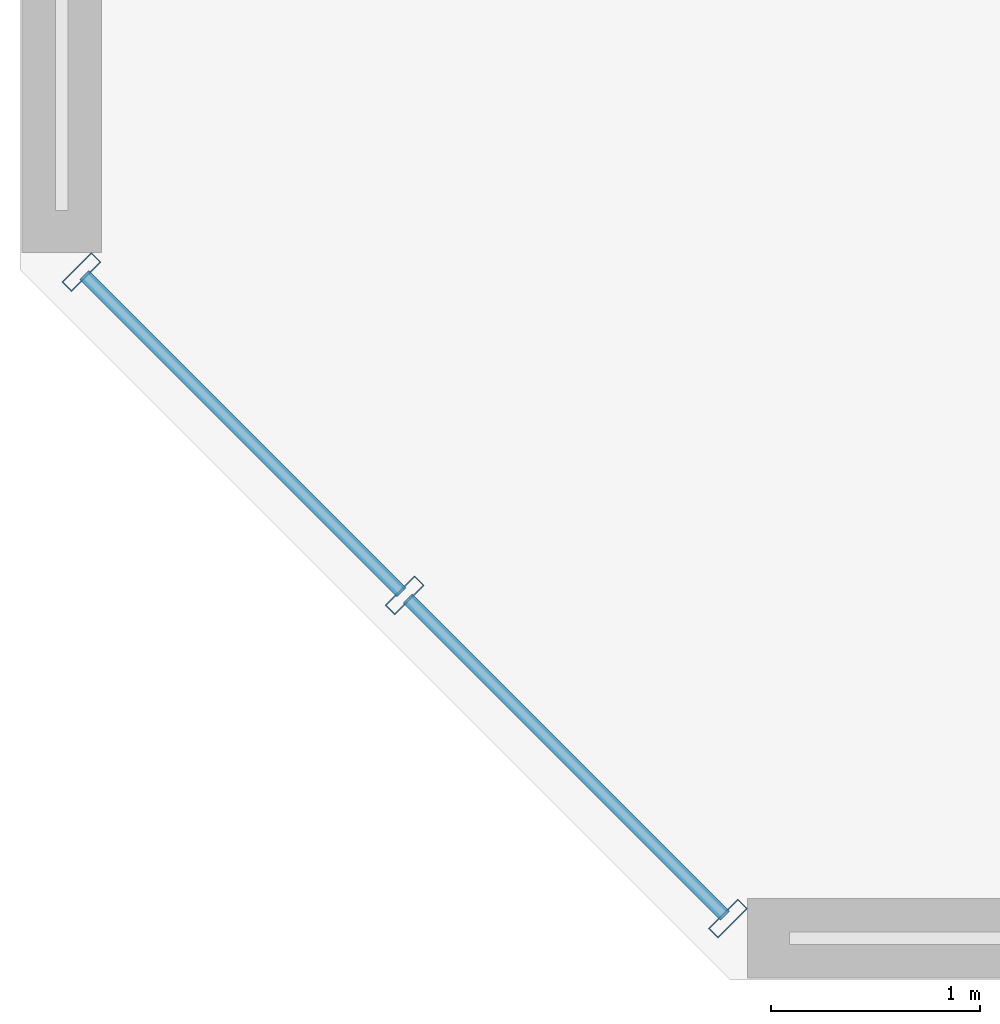
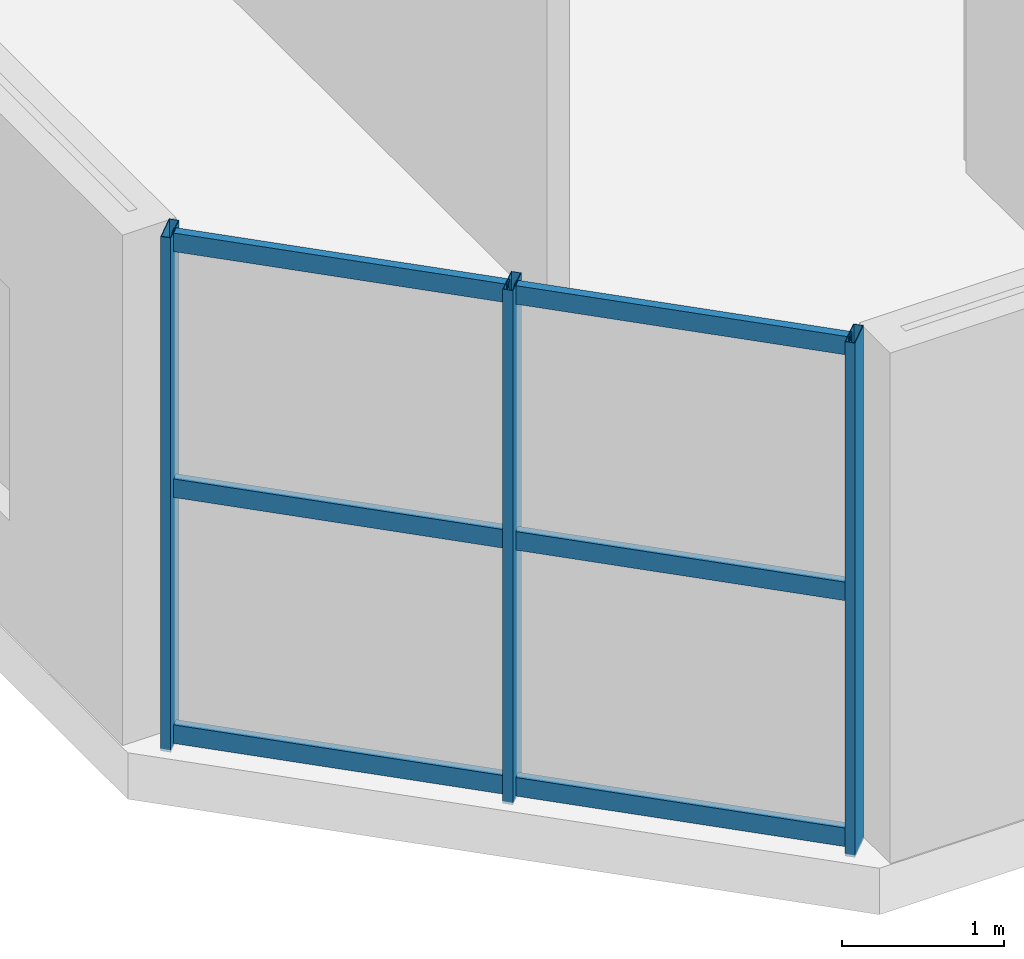
# One storey, part 2 of 22: 9 members, 1 element without a shape of its own.
"""IFC4 building model written with IfcOpenShell, lengths in metres."""

from ifc_helpers import new_model, si_unit, direction, frame, origin, origin_2d, place, context, subcontext, project, spatial, hollow_rectangle, extrude, source, transform, mapped, material, material_profile, profile_set, type_object, element, aggregate, save


model = new_model("IFC4")

# Units and contexts
model_context = context("Model", 3, precision=1e-05, world=origin(), true_north=direction((0.0, 1.0)))
body_context = subcontext(model_context, "Body", "Model", "MODEL_VIEW")
ifc_project = project(units=[si_unit("LENGTHUNIT", "METRE"), si_unit("AREAUNIT", "SQUARE_METRE"), si_unit("VOLUMEUNIT", "CUBIC_METRE"), si_unit("PLANEANGLEUNIT", "RADIAN"), si_unit("MASSUNIT", "GRAM", prefix="KILO")], contexts=[model_context])

# Site, building, storey
site_placement = place(None, origin())
site = spatial("IfcSite", under=ifc_project, at=site_placement, CompositionType="ELEMENT")
building_placement = place(site_placement, origin())
building = spatial("IfcBuilding", under=site, at=building_placement, Name="Tlacorven Tower", CompositionType="ELEMENT")
storey_placement = place(building_placement, frame((0.0, 0.0, 10.199951171875)))
storey = spatial("IfcBuildingStorey", under=building, at=storey_placement, Name="L02", CompositionType="ELEMENT", Elevation=10.199951171875)

# Curtain wall, members
ifc_material_1 = material(Name="Dark solar low-E double glazing in aluminium frame", Category="aluminium")
curtain_wall_type = type_object("IfcCurtainWallType", Name="CW-POD-CLINIC", PredefinedType="USERDEFINED", material=ifc_material_1)
curtain_wall_placement = place(storey_placement, origin())
curtain_wall = element("IfcCurtainWall", 1, at=curtain_wall_placement, inside=storey, type_object=curtain_wall_type, Name="L02 Podium Chamfer Curtain Wall 1", ObjectType="UNITISED CURTAIN WALL", PredefinedType="USERDEFINED")
ifc_material_2 = material(Name="Aluminium 6063-T6 anodised", Category="aluminium")
ifc_material_profile_1 = material_profile(ifc_material_2, hollow_rectangle(XDim=0.06494140625, YDim=0.199951171875, WallThickness=0.00439453125, at=origin_2d()), Name="ALU MULLION 65X200")
ifc_profile_set_1 = profile_set([ifc_material_profile_1], Name="Aluminium 6063-T6 anodised")
member_type_1 = type_object("IfcMemberType", Name="CWM-02", PredefinedType="MULLION", material=ifc_profile_set_1)
shared_shape_1 = source(origin(), body_context, "Body", "SweptSolid", [
    extrude(hollow_rectangle(XDim=0.06494140625, YDim=0.199951171875, WallThickness=0.00439453125, at=origin_2d()), origin(), (0.0, 0.0, 1.0), 3.880126953125),
])
member_1_placement = place(storey_placement, frame((4.7890625, 1.693603515625, -0.02001953125), z_axis=(0.0, 0.0, 1.0), x_axis=(-0.707106781187, 0.707106781187, 0.0)))
member_1 = element("IfcMember", 2, at=member_1_placement, type_object=member_type_1, Name="CW-L02-009 Mullion 1", PredefinedType="MULLION", context=body_context, shape_type="MappedRepresentation", body=[
    mapped(shared_shape_1, transform((0.0, 0.0, 0.0), scale=1.0)),
])
member_2_placement = place(storey_placement, frame((3.241455078125, 3.241455078125, -0.02001953125), z_axis=(0.0, 0.0, 1.0), x_axis=(-0.707106781187, 0.707106781187, 0.0)))
member_2 = element("IfcMember", 3, at=member_2_placement, type_object=member_type_1, Name="CW-L02-009 Mullion 2", PredefinedType="MULLION", context=body_context, shape_type="MappedRepresentation", body=[
    mapped(shared_shape_1, transform((0.0, 0.0, 0.0), scale=1.0)),
])
member_3_placement = place(storey_placement, frame((1.693603515625, 4.7890625, -0.02001953125), z_axis=(0.0, 0.0, 1.0), x_axis=(-0.707106781187, 0.707106781187, 0.0)))
member_3 = element("IfcMember", 4, at=member_3_placement, type_object=member_type_1, Name="CW-L02-009 Mullion 3", PredefinedType="MULLION", context=body_context, shape_type="MappedRepresentation", body=[
    mapped(shared_shape_1, transform((0.0, 0.0, 0.0), scale=1.0)),
])
ifc_material_profile_2 = material_profile(ifc_material_2, hollow_rectangle(XDim=0.06005859375, YDim=0.139892578125, WallThickness=0.00390625, at=origin_2d()), Name="ALU TRANSOM 60X140")
ifc_profile_set_2 = profile_set([ifc_material_profile_2], Name="Aluminium 6063-T6 anodised")
member_type_2 = type_object("IfcMemberType", Name="CWT-02", PredefinedType="USERDEFINED", material=ifc_profile_set_2)
shared_shape_2 = source(origin(), body_context, "Body", "SweptSolid", [
    extrude(hollow_rectangle(XDim=0.06005859375, YDim=0.139892578125, WallThickness=0.00390625, at=origin_2d()), origin(), (0.0, 0.0, 1.0), 2.14794921875),
])
member_4_placement = place(storey_placement, frame((4.774658203125, 1.708251953125, 0.070068359375), z_axis=(-0.707106781187, 0.707106781187, 0.0), x_axis=(-0.707106781187, -0.707106781187, 0.0)))
member_4 = element("IfcMember", 5, at=member_4_placement, type_object=member_type_2, Name="CW-L02-009 Transom 1", ObjectType="TRANSOM", PredefinedType="USERDEFINED", context=body_context, shape_type="MappedRepresentation", body=[
    mapped(shared_shape_2, transform((0.0, 0.0, 0.0), scale=1.0)),
])
member_5_placement = place(storey_placement, frame((4.774658203125, 1.708251953125, 1.925048828125), z_axis=(-0.707106781187, 0.707106781187, 0.0), x_axis=(-0.707106781187, -0.707106781187, 0.0)))
member_5 = element("IfcMember", 6, at=member_5_placement, type_object=member_type_2, Name="CW-L02-009 Transom 2", ObjectType="TRANSOM", PredefinedType="USERDEFINED", context=body_context, shape_type="MappedRepresentation", body=[
    mapped(shared_shape_2, transform((0.0, 0.0, 0.0), scale=1.0)),
])
member_6_placement = place(storey_placement, frame((4.774658203125, 1.708251953125, 3.780029296875), z_axis=(-0.707106781187, 0.707106781187, 0.0), x_axis=(-0.707106781187, -0.707106781187, 0.0)))
member_6 = element("IfcMember", 7, at=member_6_placement, type_object=member_type_2, Name="CW-L02-009 Transom 3", ObjectType="TRANSOM", PredefinedType="USERDEFINED", context=body_context, shape_type="MappedRepresentation", body=[
    mapped(shared_shape_2, transform((0.0, 0.0, 0.0), scale=1.0)),
])
member_7_placement = place(storey_placement, frame((3.22705078125, 3.255859375, 0.070068359375), z_axis=(-0.707106781187, 0.707106781187, 0.0), x_axis=(-0.707106781187, -0.707106781187, 0.0)))
member_7 = element("IfcMember", 8, at=member_7_placement, type_object=member_type_2, Name="CW-L02-009 Transom 4", ObjectType="TRANSOM", PredefinedType="USERDEFINED", context=body_context, shape_type="MappedRepresentation", body=[
    mapped(shared_shape_2, transform((0.0, 0.0, 0.0), scale=1.0)),
])
member_8_placement = place(storey_placement, frame((3.22705078125, 3.255859375, 1.925048828125), z_axis=(-0.707106781187, 0.707106781187, 0.0), x_axis=(-0.707106781187, -0.707106781187, 0.0)))
member_8 = element("IfcMember", 9, at=member_8_placement, type_object=member_type_2, Name="CW-L02-009 Transom 5", ObjectType="TRANSOM", PredefinedType="USERDEFINED", context=body_context, shape_type="MappedRepresentation", body=[
    mapped(shared_shape_2, transform((0.0, 0.0, 0.0), scale=1.0)),
])
member_9_placement = place(storey_placement, frame((3.22705078125, 3.255859375, 3.780029296875), z_axis=(-0.707106781187, 0.707106781187, 0.0), x_axis=(-0.707106781187, -0.707106781187, 0.0)))
member_9 = element("IfcMember", 10, at=member_9_placement, type_object=member_type_2, Name="CW-L02-009 Transom 6", ObjectType="TRANSOM", PredefinedType="USERDEFINED", context=body_context, shape_type="MappedRepresentation", body=[
    mapped(shared_shape_2, transform((0.0, 0.0, 0.0), scale=1.0)),
])
aggregate(curtain_wall, [member_1, member_2, member_3, member_4, member_5, member_6, member_7, member_8, member_9])

save(model, "model.ifc")
